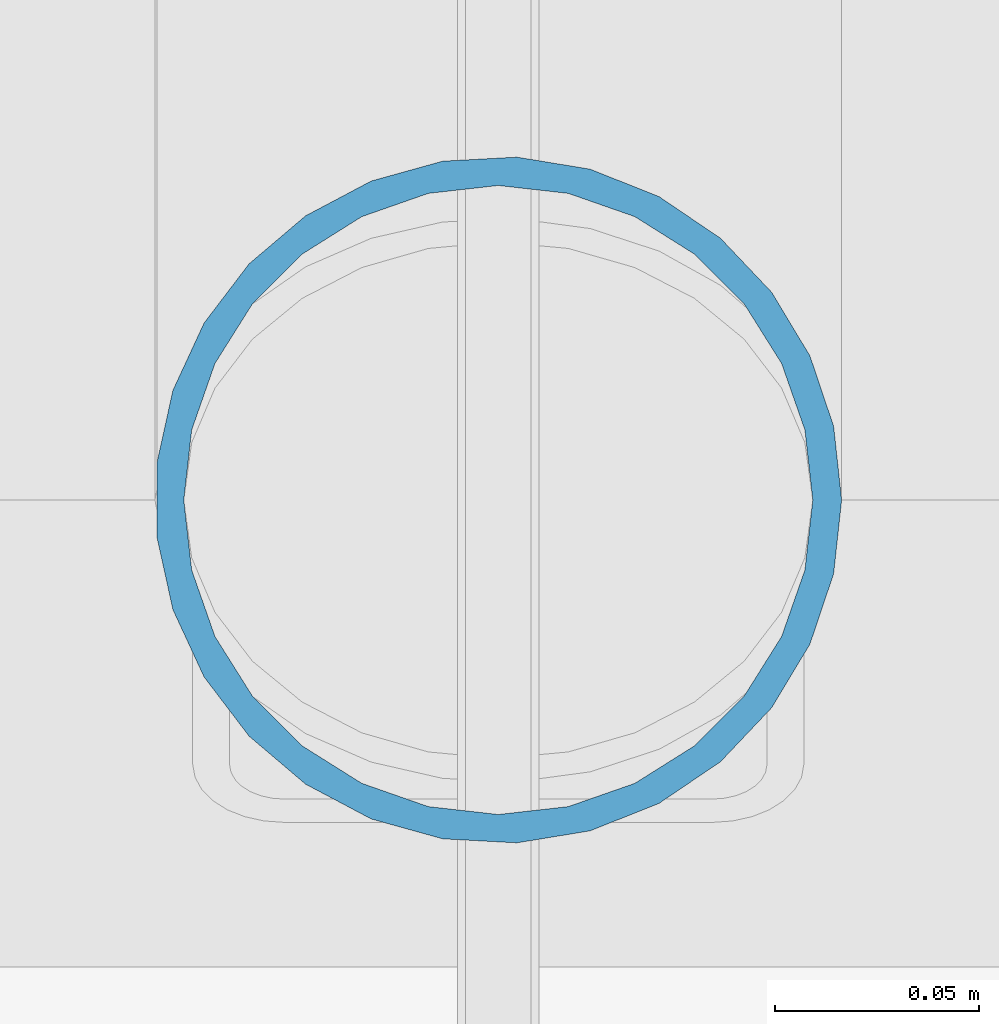
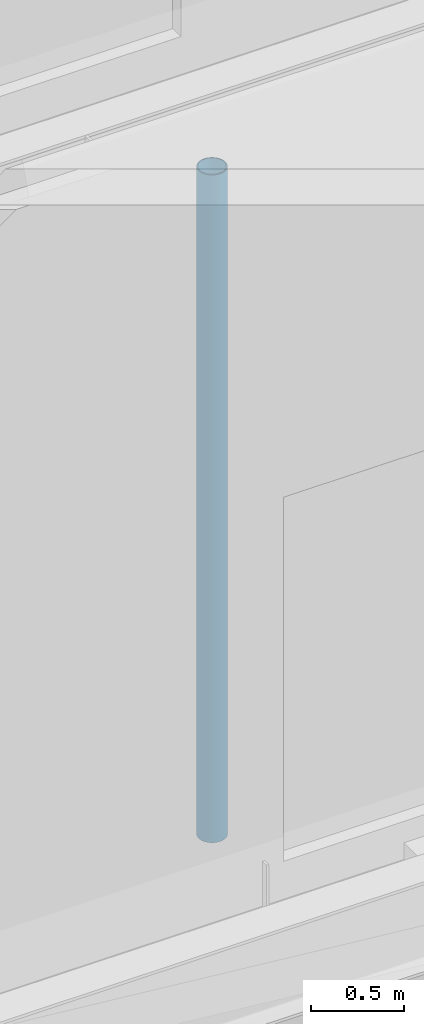
# One storey, part 6 of 55: 1 member.
"""IFC4 building model written with IfcOpenShell, lengths in metres."""

from ifc_helpers import new_model, si_unit, direction, frame, origin, origin_2d, place, context, subcontext, project, spatial, hollow_circle, extrude, material, material_profile, profile_set, type_object, element, save


model = new_model("IFC4")

# Units and contexts
model_context = context("Model", 3, precision=1e-05, world=origin(), true_north=direction((0.0, 1.0)))
body_context = subcontext(model_context, "Body", "Model", "MODEL_VIEW")
ifc_project = project(units=[si_unit("LENGTHUNIT", "METRE"), si_unit("AREAUNIT", "SQUARE_METRE"), si_unit("VOLUMEUNIT", "CUBIC_METRE"), si_unit("PLANEANGLEUNIT", "RADIAN"), si_unit("MASSUNIT", "GRAM", prefix="KILO")], contexts=[model_context])

# Site, building, storey
site_placement = place(None, origin())
site = spatial("IfcSite", under=ifc_project, at=site_placement, CompositionType="ELEMENT")
building_placement = place(site_placement, origin())
building = spatial("IfcBuilding", under=site, at=building_placement, Name="Tameran Prism Museum", CompositionType="ELEMENT")
storey_placement = place(building_placement, frame((0.0, 0.0, 28.800048828125)))
storey = spatial("IfcBuildingStorey", under=building, at=storey_placement, Name="L05", CompositionType="ELEMENT", Elevation=28.800048828125)

# Member
ifc_material = material(Name="Steel Grade C350L0 (350 MPa)", Category="steel")
ifc_material_profile = material_profile(ifc_material, hollow_circle(Radius=0.084228515625, WallThickness=0.007080078125, at=origin_2d()))
ifc_profile_set = profile_set([ifc_material_profile])
member_type = type_object("IfcMemberType", Name="MM-BR-CHS168", PredefinedType="BRACE", material=ifc_profile_set)
member_placement = place(storey_placement, frame((101.89990234375, 79.93994140625, 6.385986328125), z_axis=(0.0, 0.0, 1.0), x_axis=(1.0, 0.0, 0.0)))
element("IfcMember", 1, at=member_placement, inside=storey, type_object=member_type, Name="Sawtooth Brace STM-0031", PredefinedType="BRACE", context=body_context, shape_type="SweptSolid", body=[
    extrude(hollow_circle(Radius=0.084228515625, WallThickness=0.007080078125, at=origin_2d()), origin(), (0.0, 0.0, 1.0), 4.40185546875),
])

save(model, "model.ifc")
